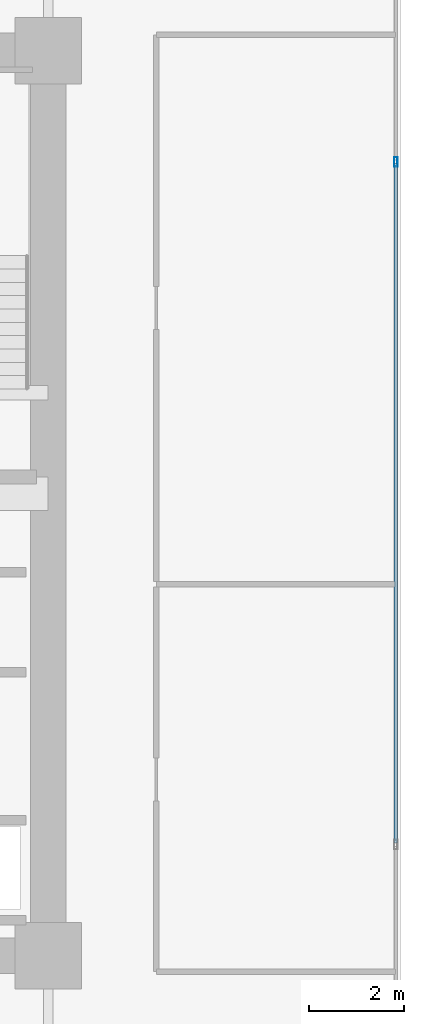
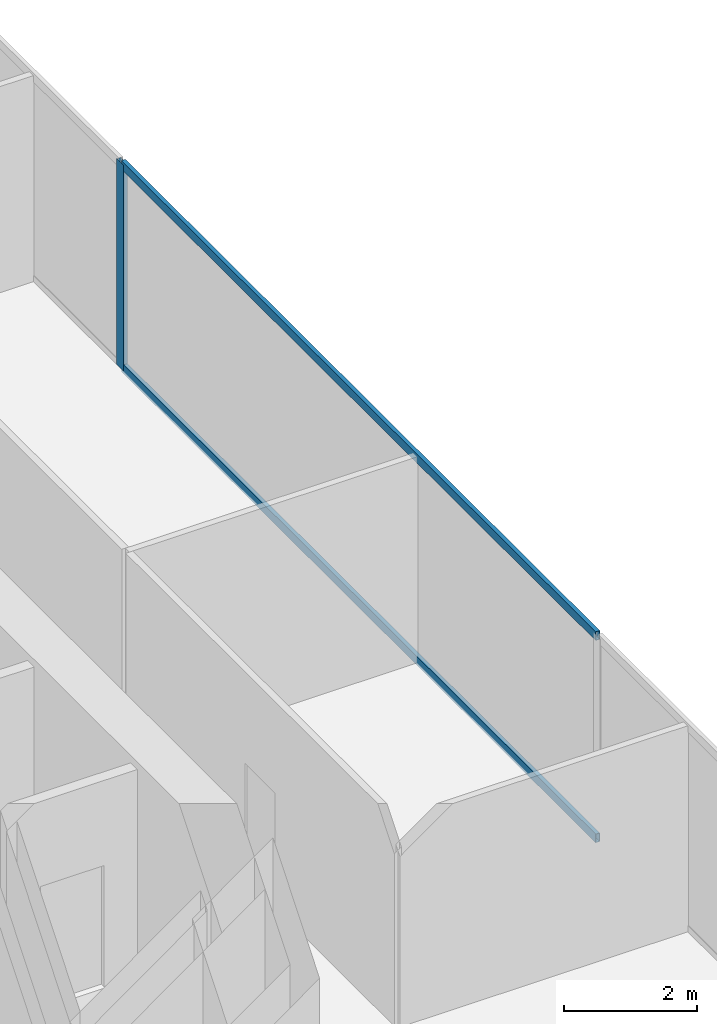
# One storey, part 25 of 35: 3 members, 1 element without a shape of its own.
"""IFC4 building model written with IfcOpenShell, lengths in metres."""

from ifc_helpers import new_model, si_unit, direction, frame, origin, origin_2d, place, context, subcontext, project, spatial, hollow_rectangle, extrude, source, transform, mapped, material, layer, layer_set, material_profile, profile_set, type_object, type_shapes, element, aggregate, save


model = new_model("IFC4")

# Units and contexts
model_context = context("Model", 3, precision=1e-05, world=origin(), true_north=direction((0.0, 1.0)))
body_context = subcontext(model_context, "Body", "Model", "MODEL_VIEW")
ifc_project = project(units=[si_unit("LENGTHUNIT", "METRE"), si_unit("AREAUNIT", "SQUARE_METRE"), si_unit("VOLUMEUNIT", "CUBIC_METRE"), si_unit("PLANEANGLEUNIT", "RADIAN"), si_unit("MASSUNIT", "GRAM", prefix="KILO")], contexts=[model_context])

# Site, building, storey
site_placement = place(None, origin())
site = spatial("IfcSite", under=ifc_project, at=site_placement, CompositionType="ELEMENT")
building_placement = place(site_placement, origin())
building = spatial("IfcBuilding", under=site, at=building_placement, Name="Haelvirn Gate Laboratories", CompositionType="ELEMENT")
storey_placement = place(building_placement, frame((0.0, 0.0, 90.800048828125)))
storey = spatial("IfcBuildingStorey", under=building, at=storey_placement, Name="L22", CompositionType="ELEMENT", Elevation=90.800048828125)

# Curtain wall, members
ifc_material_1 = material(Name="Anodised bronze unitised aluminium & triple low-E glass", Category="aluminium")
ifc_layer = layer(ifc_material_1, 0.18408203125, Name="CW-SYS-2")
ifc_layer_set = layer_set([ifc_layer], Name="Anodised bronze unitised aluminium & triple low-E glass")
curtain_wall_type = type_object("IfcCurtainWallType", Name="CW-SYS-2", PredefinedType="NOTDEFINED", material=ifc_layer_set)
curtain_wall_placement = place(storey_placement, origin())
curtain_wall = element("IfcCurtainWall", 1, at=curtain_wall_placement, inside=storey, type_object=curtain_wall_type, Name="L22 Unitised Curtain Wall CW-L22-P0-E07", PredefinedType="NOTDEFINED")
ifc_material_2 = material(Name="Extruded aluminium 6063-T6 (anodised bronze)", Category="aluminium")
ifc_material_profile_1 = material_profile(ifc_material_2, hollow_rectangle(XDim=0.074951171875, YDim=0.199951171875, WallThickness=0.0048828125, at=origin_2d()), Name="CWM-200x75x5")
ifc_profile_set_1 = profile_set([ifc_material_profile_1], Name="Extruded aluminium 6063-T6 (anodised bronze)")
member_type_1 = type_object("IfcMemberType", Name="CWM-T200", PredefinedType="MULLION", material=ifc_profile_set_1)
shared_shape_1 = source(origin(), body_context, "Body", "SweptSolid", [
    extrude(hollow_rectangle(XDim=0.074951171875, YDim=0.199951171875, WallThickness=0.0048828125, at=origin_2d()), origin(), (0.0, 0.0, 1.0), 3.780029296875),
])
type_shapes(member_type_1, [shared_shape_1])
member_1_placement = place(storey_placement, frame((74.699951171875, 31.466552734375, 0.0), z_axis=(0.0, 0.0, 1.0), x_axis=(-1.0, 0.0, 0.0)))
member_1 = element("IfcMember", 2, at=member_1_placement, type_object=member_type_1, Name="CW2 mullion 3", PredefinedType="MULLION", context=body_context, shape_type="MappedRepresentation", body=[
    mapped(shared_shape_1, transform((0.0, 0.0, 0.0), scale=1.0)),
])
ifc_material_profile_2 = material_profile(ifc_material_2, hollow_rectangle(XDim=0.070068359375, YDim=0.159912109375, WallThickness=0.0048828125, at=origin_2d()), Name="CWT-160x70x5")
ifc_profile_set_2 = profile_set([ifc_material_profile_2], Name="Extruded aluminium 6063-T6 (anodised bronze)")
member_type_2 = type_object("IfcMemberType", Name="CWT-T160", PredefinedType="USERDEFINED", material=ifc_profile_set_2)
shared_shape_2 = source(origin(), body_context, "Body", "SweptSolid", [
    extrude(hollow_rectangle(XDim=0.070068359375, YDim=0.159912109375, WallThickness=0.0048828125, at=origin_2d()), origin(), (0.0, 0.0, 1.0), 14.25830078125),
])
type_shapes(member_type_2, [shared_shape_2])
member_2_placement = place(storey_placement, frame((74.699951171875, 17.1708984375, 0.034912109375), z_axis=(0.0, 1.0, 0.0), x_axis=(-1.0, 0.0, 0.0)))
member_2 = element("IfcMember", 3, at=member_2_placement, type_object=member_type_2, Name="CW2 transom 2.1", ObjectType="TRANSOM", PredefinedType="USERDEFINED", context=body_context, shape_type="MappedRepresentation", body=[
    mapped(shared_shape_2, transform((0.0, 0.0, 0.0), scale=1.0)),
])
member_3_placement = place(storey_placement, frame((74.699951171875, 17.1708984375, 3.744873046875), z_axis=(0.0, 1.0, 0.0), x_axis=(-1.0, 0.0, 0.0)))
member_3 = element("IfcMember", 4, at=member_3_placement, type_object=member_type_2, Name="CW2 transom 2.2", ObjectType="TRANSOM", PredefinedType="USERDEFINED", context=body_context, shape_type="MappedRepresentation", body=[
    mapped(shared_shape_2, transform((0.0, 0.0, 0.0), scale=1.0)),
])
aggregate(curtain_wall, [member_1, member_2, member_3])

save(model, "model.ifc")
